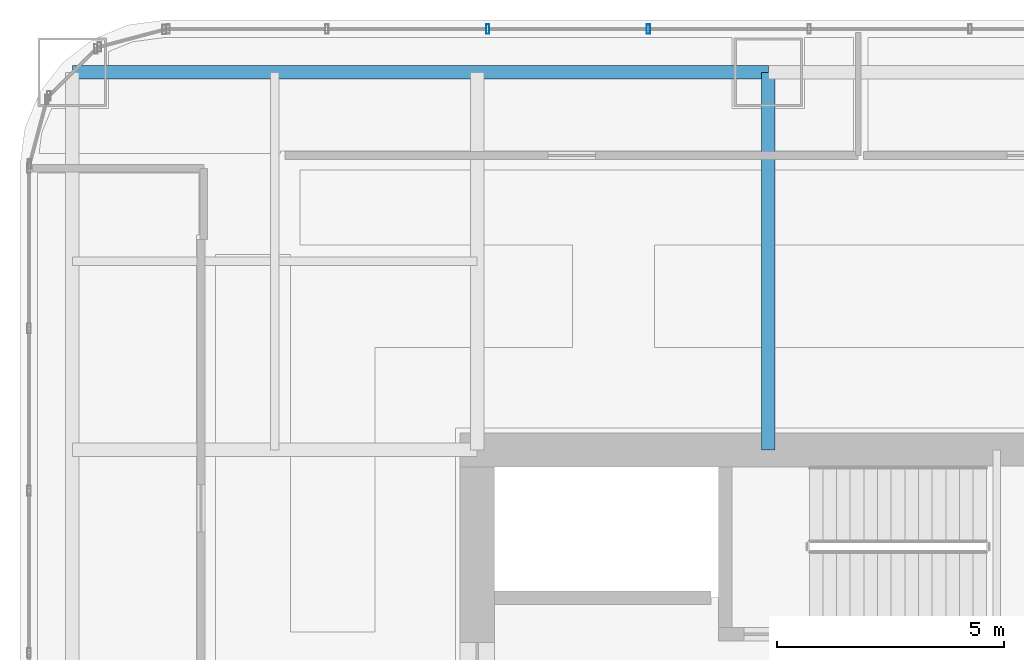
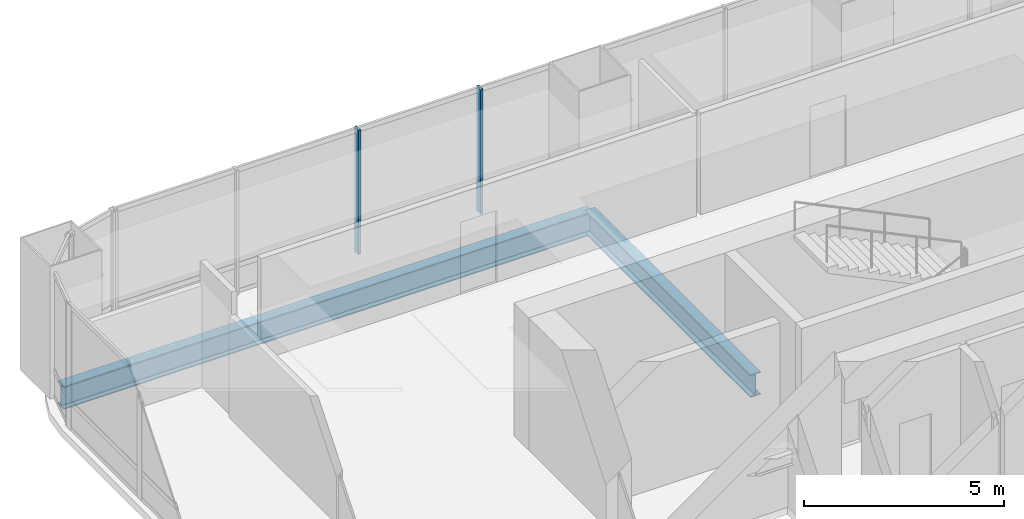
# One storey, part 19 of 34: 2 beams, 2 members, 1 element without a shape of its own.
"""IFC4 building model written with IfcOpenShell, lengths in metres."""

from ifc_helpers import new_model, si_unit, direction, frame, origin, origin_2d, place, context, subcontext, project, spatial, hollow_rectangle, i_section, extrude, material, material_profile, profile_set, type_object, element, aggregate, save


model = new_model("IFC4")

# Units and contexts
model_context = context("Model", 3, precision=1e-05, world=origin(), true_north=direction((0.0, 1.0)))
body_context = subcontext(model_context, "Body", "Model", "MODEL_VIEW")
ifc_project = project(units=[si_unit("LENGTHUNIT", "METRE"), si_unit("AREAUNIT", "SQUARE_METRE"), si_unit("VOLUMEUNIT", "CUBIC_METRE"), si_unit("PLANEANGLEUNIT", "RADIAN"), si_unit("MASSUNIT", "GRAM", prefix="KILO")], contexts=[model_context])

# Site, building, storey
site_placement = place(None, origin())
site = spatial("IfcSite", under=ifc_project, at=site_placement, CompositionType="ELEMENT")
building_placement = place(site_placement, origin())
building = spatial("IfcBuilding", under=site, at=building_placement, Name="Punatoya Terracotta Tower", CompositionType="ELEMENT")
storey_placement = place(building_placement, frame((0.0, 0.0, 80.85009765625)))
storey = spatial("IfcBuildingStorey", under=building, at=storey_placement, Name="L18", CompositionType="ELEMENT", Elevation=80.85009765625)

# Beams
ifc_material_1 = material(Name="Steel S355", Category="steel")
ifc_material_profile_1 = material_profile(ifc_material_1, i_section(OverallWidth=0.300048828125, OverallDepth=0.699951171875, WebThickness=0.01708984375, FlangeThickness=0.031982421875, FilletRadius=0.01806640625, at=origin_2d()))
ifc_profile_set_1 = profile_set([ifc_material_profile_1], Name="Steel S355")
beam_type = type_object("IfcBeamType", Name="BM-PRI-700", PredefinedType="BEAM", material=ifc_profile_set_1)
beam_1_placement = place(storey_placement, frame((-19.10009765625, 17.5, -0.590087890625), z_axis=(1.0, 0.0, 0.0), x_axis=(0.0, 1.0, 0.0)))
element("IfcBeam", 1, at=beam_1_placement, inside=storey, type_object=beam_type, Name="BM-L18-RG-N1", PredefinedType="BEAM", context=body_context, shape_type="SweptSolid", body=[
    extrude(i_section(OverallWidth=0.300048828125, OverallDepth=0.699951171875, WebThickness=0.01708984375, FlangeThickness=0.031982421875, FilletRadius=0.01806640625, at=origin_2d()), origin(), (0.0, 0.0, 1.0), 15.300048828125),
])
beam_2_placement = place(storey_placement, frame((-3.800048828125, 9.199951171875, -0.590087890625), z_axis=(0.0, 1.0, 0.0), x_axis=(-1.0, 0.0, 0.0)))
element("IfcBeam", 2, at=beam_2_placement, inside=storey, type_object=beam_type, Name="BM-L18-PR-N2", PredefinedType="BEAM", context=body_context, shape_type="SweptSolid", body=[
    extrude(i_section(OverallWidth=0.300048828125, OverallDepth=0.699951171875, WebThickness=0.01708984375, FlangeThickness=0.031982421875, FilletRadius=0.01806640625, at=origin_2d()), origin(), (0.0, 0.0, 1.0), 8.300048828125),
])

# Curtain wall, members
ifc_material_2 = material(Name="Aluminium 6063-T6 + Double Low-E Glass", Category="aluminium")
curtain_wall_type = type_object("IfcCurtainWallType", Name="CW-M1", PredefinedType="NOTDEFINED", material=ifc_material_2)
curtain_wall_placement = place(storey_placement, origin())
curtain_wall = element("IfcCurtainWall", 3, at=curtain_wall_placement, inside=storey, type_object=curtain_wall_type, Name="L18 Curtain Wall CW-L18-N09-1", PredefinedType="NOTDEFINED")
ifc_material_3 = material(Name="Aluminium 6063-T6", Category="aluminium")
ifc_material_profile_2 = material_profile(ifc_material_3, hollow_rectangle(XDim=0.074951171875, YDim=0.2099609375, WallThickness=0.00439453125, at=origin_2d()))
ifc_profile_set_2 = profile_set([ifc_material_profile_2], Name="Aluminium 6063-T6")
member_type = type_object("IfcMemberType", Name="CW-MUL-M1", PredefinedType="MULLION", material=ifc_profile_set_2)
member_1_placement = place(storey_placement, frame((-6.43505859375, 18.449951171875, 0.0), z_axis=(0.0, 0.0, 1.0), x_axis=(1.0, 0.0, 0.0)))
member_1 = element("IfcMember", 4, at=member_1_placement, type_object=member_type, Name="CW-L18-N09-1 Mullion 08", PredefinedType="MULLION", context=body_context, shape_type="SweptSolid", body=[
    extrude(hollow_rectangle(XDim=0.074951171875, YDim=0.2099609375, WallThickness=0.00439453125, at=origin_2d()), origin(), (0.0, 0.0, 1.0), 3.809814453125),
])
member_2_placement = place(storey_placement, frame((-9.968994140625, 18.449951171875, 0.0), z_axis=(0.0, 0.0, 1.0), x_axis=(1.0, 0.0, 0.0)))
member_2 = element("IfcMember", 5, at=member_2_placement, type_object=member_type, Name="CW-L18-N09-1 Mullion 09", PredefinedType="MULLION", context=body_context, shape_type="SweptSolid", body=[
    extrude(hollow_rectangle(XDim=0.074951171875, YDim=0.2099609375, WallThickness=0.00439453125, at=origin_2d()), origin(), (0.0, 0.0, 1.0), 3.809814453125),
])
aggregate(curtain_wall, [member_1, member_2])

save(model, "model.ifc")
